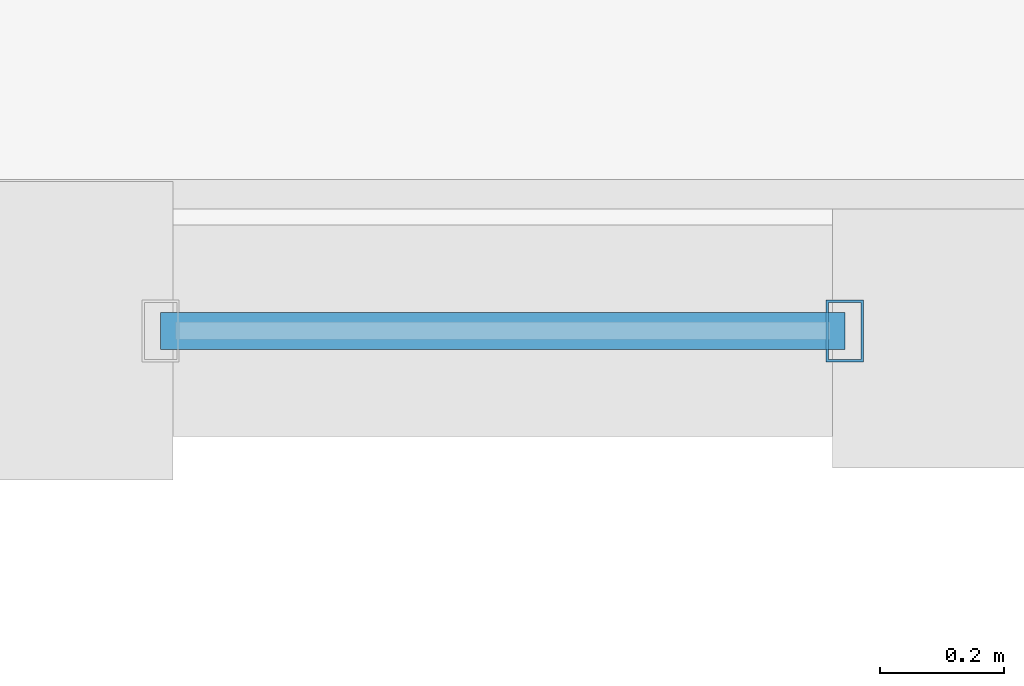
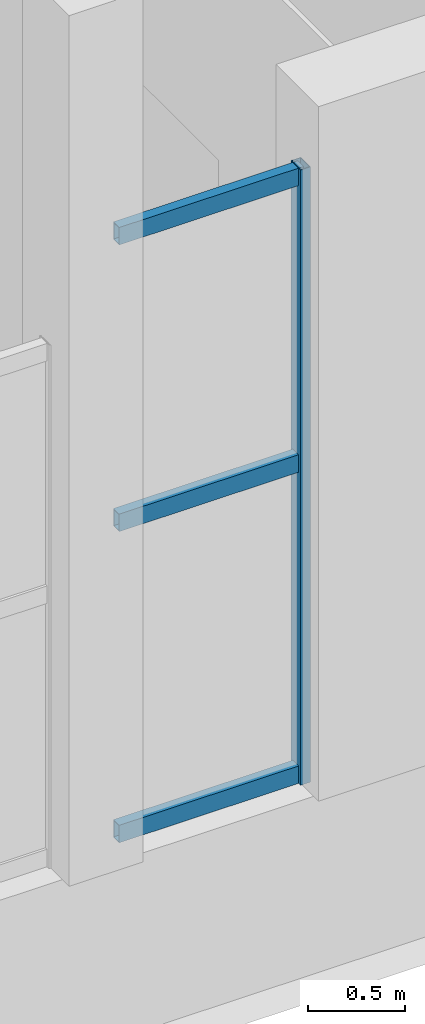
# One storey, part 12 of 46: 4 members, 1 element without a shape of its own.
"""IFC4 building model written with IfcOpenShell, lengths in metres."""

from ifc_helpers import new_model, si_unit, direction, frame, origin, origin_2d, place, context, subcontext, project, spatial, hollow_rectangle, extrude, material, material_profile, profile_set, type_object, element, aggregate, save


model = new_model("IFC4")

# Units and contexts
model_context = context("Model", 3, precision=1e-05, world=origin(), true_north=direction((0.0, 1.0)))
body_context = subcontext(model_context, "Body", "Model", "MODEL_VIEW")
ifc_project = project(units=[si_unit("LENGTHUNIT", "METRE"), si_unit("AREAUNIT", "SQUARE_METRE"), si_unit("VOLUMEUNIT", "CUBIC_METRE"), si_unit("PLANEANGLEUNIT", "RADIAN"), si_unit("MASSUNIT", "GRAM", prefix="KILO")], contexts=[model_context])

# Site, building, storey
site_placement = place(None, origin())
site = spatial("IfcSite", under=ifc_project, at=site_placement, CompositionType="ELEMENT")
building_placement = place(site_placement, origin())
building = spatial("IfcBuilding", under=site, at=building_placement, Name="Mavantir Sound Aquarium", CompositionType="ELEMENT")
storey_placement = place(building_placement, frame((0.0, 0.0, 15.300048828125)))
storey = spatial("IfcBuildingStorey", under=building, at=storey_placement, Name="L03", CompositionType="ELEMENT", Elevation=15.300048828125)

# Curtain wall, members
ifc_material_1 = material(Name="Anodised Marine Aluminium and Low-E Glass", Category="aluminium")
curtain_wall_type = type_object("IfcCurtainWallType", Name="CW-T12", PredefinedType="USERDEFINED", material=ifc_material_1)
curtain_wall_placement = place(storey_placement, origin())
curtain_wall = element("IfcCurtainWall", 1, at=curtain_wall_placement, inside=storey, type_object=curtain_wall_type, Name="L03 unitised curtain wall CW-12 179", ObjectType="UNITISED GLAZING", PredefinedType="USERDEFINED")
ifc_material_2 = material(Name="Anodised Marine Aluminium 6063-T6", Category="aluminium")
ifc_material_profile_1 = material_profile(ifc_material_2, hollow_rectangle(XDim=0.06005859375, YDim=0.10009765625, WallThickness=0.00390625, at=origin_2d()), Name="ALU-MULLION-100X60")
ifc_profile_set_1 = profile_set([ifc_material_profile_1], Name="Anodised Marine Aluminium 6063-T6")
member_type_1 = type_object("IfcMemberType", Name="CW-MUL-100", PredefinedType="MULLION", material=ifc_profile_set_1)
member_1_placement = place(storey_placement, frame((173.800048828125, 40.800048828125, 1.119873046875), z_axis=(0.0, 0.0, 1.0), x_axis=(1.0, 0.0, 0.0)))
member_1 = element("IfcMember", 2, at=member_1_placement, type_object=member_type_1, Name="CW-DIOC-7S-R vertical mullion 2", PredefinedType="MULLION", context=body_context, shape_type="SweptSolid", body=[
    extrude(hollow_rectangle(XDim=0.06005859375, YDim=0.10009765625, WallThickness=0.00390625, at=origin_2d()), origin(), (0.0, 0.0, 1.0), 3.880126953125),
])
ifc_material_profile_2 = material_profile(ifc_material_2, hollow_rectangle(XDim=0.06005859375, YDim=0.110107421875, WallThickness=0.00390625, at=origin_2d()), Name="ALU-TRANSOM-110X60")
ifc_profile_set_2 = profile_set([ifc_material_profile_2], Name="Anodised Marine Aluminium 6063-T6")
member_type_2 = type_object("IfcMemberType", Name="CW-TRN-110", PredefinedType="USERDEFINED", material=ifc_profile_set_2)
member_2_placement = place(storey_placement, frame((172.699951171875, 40.800048828125, 1.175048828125), z_axis=(1.0, 0.0, 0.0), x_axis=(0.0, 1.0, 0.0)))
member_2 = element("IfcMember", 3, at=member_2_placement, type_object=member_type_2, Name="CW-DIOC-7S-R transom 1.1", ObjectType="TRANSOM", PredefinedType="USERDEFINED", context=body_context, shape_type="SweptSolid", body=[
    extrude(hollow_rectangle(XDim=0.06005859375, YDim=0.110107421875, WallThickness=0.00390625, at=origin_2d()), origin(), (0.0, 0.0, 1.0), 1.10009765625),
])
member_3_placement = place(storey_placement, frame((172.699951171875, 40.800048828125, 3.137451171875), z_axis=(1.0, 0.0, 0.0), x_axis=(0.0, 1.0, 0.0)))
member_3 = element("IfcMember", 4, at=member_3_placement, type_object=member_type_2, Name="CW-DIOC-7S-R transom 1.2", ObjectType="TRANSOM", PredefinedType="USERDEFINED", context=body_context, shape_type="SweptSolid", body=[
    extrude(hollow_rectangle(XDim=0.06005859375, YDim=0.110107421875, WallThickness=0.00390625, at=origin_2d()), origin(), (0.0, 0.0, 1.0), 1.10009765625),
])
member_4_placement = place(storey_placement, frame((172.699951171875, 40.800048828125, 4.945068359375), z_axis=(1.0, 0.0, 0.0), x_axis=(0.0, 1.0, 0.0)))
member_4 = element("IfcMember", 5, at=member_4_placement, type_object=member_type_2, Name="CW-DIOC-7S-R transom 1.3", ObjectType="TRANSOM", PredefinedType="USERDEFINED", context=body_context, shape_type="SweptSolid", body=[
    extrude(hollow_rectangle(XDim=0.06005859375, YDim=0.110107421875, WallThickness=0.00390625, at=origin_2d()), origin(), (0.0, 0.0, 1.0), 1.10009765625),
])
aggregate(curtain_wall, [member_1, member_2, member_3, member_4])

save(model, "model.ifc")
